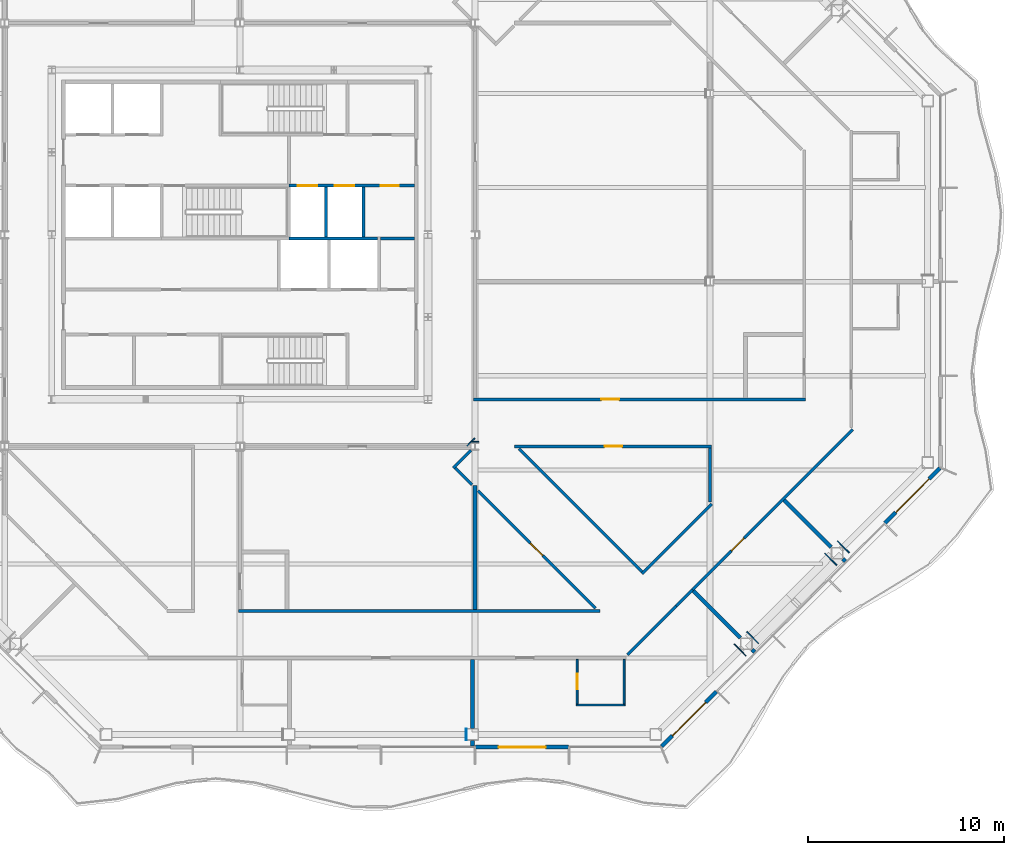
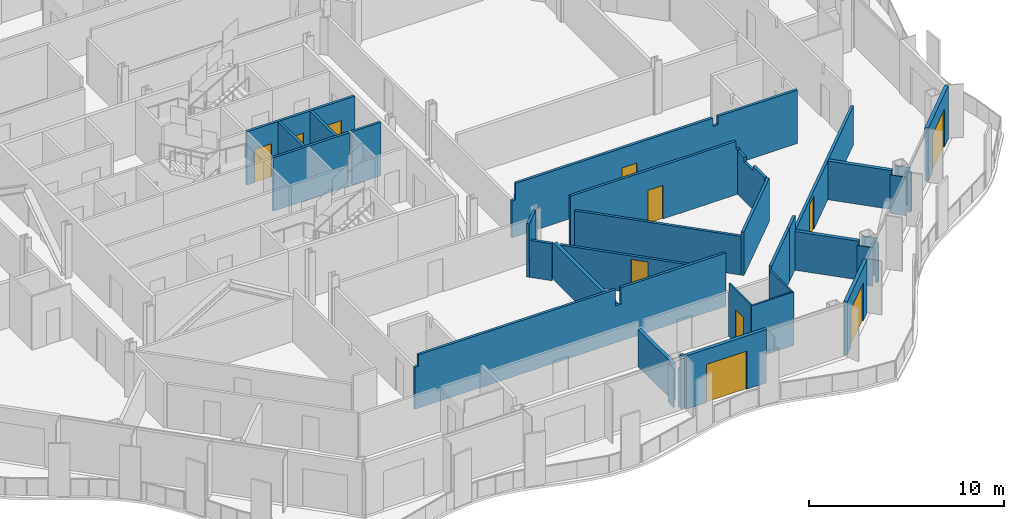
# One storey, part 9 of 19: 37 walls, 11 doors, 11 openings.
"""IFC4 building model written with IfcOpenShell, lengths in metres."""

from ifc_helpers import new_model, si_unit, direction, frame, frame_2d, origin, place, context, subcontext, project, spatial, polyline, rectangle, outline, extrude, material, layer, layer_set, type_object, element, fill, save


model = new_model("IFC4")

# Units and contexts
model_context = context("Model", 3, precision=1e-05, world=origin(), true_north=direction((0.0, 1.0)))
body_context = subcontext(model_context, "Body", "Model", "MODEL_VIEW")
ifc_project = project(units=[si_unit("LENGTHUNIT", "METRE"), si_unit("AREAUNIT", "SQUARE_METRE"), si_unit("VOLUMEUNIT", "CUBIC_METRE"), si_unit("PLANEANGLEUNIT", "RADIAN"), si_unit("MASSUNIT", "GRAM", prefix="KILO")], contexts=[model_context])

# Site, building, storey
site_placement = place(None, origin())
site = spatial("IfcSite", under=ifc_project, at=site_placement, CompositionType="ELEMENT")
building_placement = place(site_placement, origin())
building = spatial("IfcBuilding", under=site, at=building_placement, Name="Cairn Pilgrim Tower", CompositionType="ELEMENT")
storey_placement = place(building_placement, frame((0.0, 0.0, 201.0)))
storey = spatial("IfcBuildingStorey", under=building, at=storey_placement, Name="L51", CompositionType="ELEMENT", Elevation=201.0)

# Wall, opening, door
ifc_material_1 = material(Name="Bronze anodised aluminium insulated sandwich panel with mineral wool fill", Category="aluminium")
ifc_layer_1 = layer(ifc_material_1, 0.199951171875)
ifc_layer_set_1 = layer_set([ifc_layer_1], Name="BRONZE INFILL FRAME WALL 200")
wall_type_1 = type_object("IfcWallType", Name="BRONZE INFILL FRAME WALL 200", PredefinedType="NOTDEFINED", material=ifc_layer_set_1)
wall_1_placement = place(storey_placement, frame((19.22998046875, -23.75, 0.0), z_axis=(0.0, 0.0, 1.0), x_axis=(1.0, 0.0, 0.0)))
wall_1 = element("IfcWall", 1, at=wall_1_placement, inside=storey, type_object=wall_type_1, Name="Bronze infill frame wall IW-S5", PredefinedType="NOTDEFINED", context=body_context, shape_type="SweptSolid", body=[
    extrude(rectangle(XDim=4.739990234375, YDim=0.199951171875, at=frame_2d((2.3701171875, 0.0))), origin(), (0.0, 0.0, 1.0), 3.35009765625),
])
opening_1_placement = place(wall_1_placement, frame((1.169677734375, 0.0, 0.0)))
opening_1 = element("IfcOpeningElement", 2, at=opening_1_placement, cuts=wall_1, Name="Opening 5102B", PredefinedType="OPENING", context=body_context, shape_type="SweptSolid", body=[
    extrude(rectangle(XDim=2.39990234375, YDim=2.39990234375, at=frame_2d((1.199951171875, 1.199951171875))), frame((0.0, 0.10986328125, 0.0), z_axis=(0.0, -1.0, 0.0), x_axis=(1.0, 0.0, 0.0)), (0.0, 0.0, 1.0), 0.219970703125),
])
ifc_material_2 = material(Name="Bronze anodised aluminium frame with tinted low-E glass", Category="aluminium")
door_type_1 = type_object("IfcDoorType", Name="BALCONY SLIDING DOOR 2400x2400", OperationType="DOUBLE_DOOR_SLIDING", PredefinedType="DOOR", material=ifc_material_2)
door_1_placement = place(opening_1_placement, origin())
door_1 = element("IfcDoor", 3, at=door_1_placement, inside=storey, type_object=door_type_1, Name="Balcony sliding door 5102B", OperationType="SINGLE_SWING_LEFT", OverallHeight=2.39990234375, OverallWidth=2.39990234375, PredefinedType="DOOR", context=body_context, shape_type="SweptSolid", body=[
    extrude(rectangle(XDim=2.39990234375, YDim=2.39990234375, at=frame_2d((1.199951171875, 1.199951171875))), frame((0.0, 0.02490234375, 0.0), z_axis=(0.0, -1.0, 0.0), x_axis=(1.0, 0.0, 0.0)), (0.0, 0.0, 1.0), 0.050048828125),
])
fill(opening_1, door_1)

wall_2_placement = place(storey_placement, frame((28.724609375, -23.7216796875, 0.0), z_axis=(0.0, 0.0, 1.0), x_axis=(0.707106781187, 0.707106781187, 0.0)))
wall_2 = element("IfcWall", 4, at=wall_2_placement, inside=storey, type_object=wall_type_1, Name="Bronze infill frame wall IW-SE1", PredefinedType="NOTDEFINED", context=body_context, shape_type="SweptSolid", body=[
    extrude(rectangle(XDim=3.961669921875, YDim=0.199951171875, at=frame_2d((1.98095703125, 0.0))), origin(), (0.0, 0.0, 1.0), 3.35009765625),
])
opening_2_placement = place(wall_2_placement, frame((0.775390625, 0.0, 0.0)))
opening_2 = element("IfcOpeningElement", 5, at=opening_2_placement, cuts=wall_2, Name="Opening 5102B2", PredefinedType="OPENING", context=body_context, shape_type="SweptSolid", body=[
    extrude(rectangle(XDim=2.39990234375, YDim=2.39990234375, at=frame_2d((1.199951171875, 1.199951171875))), frame((0.0, 0.10986328125, 0.0), z_axis=(0.0, -1.0, 0.0), x_axis=(1.0, 0.0, 0.0)), (0.0, 0.0, 1.0), 0.219970703125),
])
door_2_placement = place(opening_2_placement, origin())
door_2 = element("IfcDoor", 6, at=door_2_placement, inside=storey, type_object=door_type_1, Name="Balcony sliding door 5102B2", OperationType="SINGLE_SWING_LEFT", OverallHeight=2.39990234375, OverallWidth=2.39990234375, PredefinedType="DOOR", context=body_context, shape_type="SweptSolid", body=[
    extrude(rectangle(XDim=2.39990234375, YDim=2.39990234375, at=frame_2d((1.199951171875, 1.199951171875))), frame((0.0, 0.02490234375, 0.0), z_axis=(0.0, -1.0, 0.0), x_axis=(1.0, 0.0, 0.0)), (0.0, 0.0, 1.0), 0.050048828125),
])
fill(opening_2, door_2)

wall_3_placement = place(storey_placement, frame((40.12060546875, -12.325927734375, 0.0), z_axis=(0.0, 0.0, 1.0), x_axis=(0.707075965734, 0.707137595296, 0.0)))
wall_3 = element("IfcWall", 7, at=wall_3_placement, inside=storey, type_object=wall_type_1, Name="Bronze infill frame wall IW-SE5", PredefinedType="NOTDEFINED", context=body_context, shape_type="SweptSolid", body=[
    extrude(rectangle(XDim=3.96142578125, YDim=0.199951171875, at=frame_2d((1.980712890625, 0.0))), origin(), (0.0, 0.0, 1.0), 3.35009765625),
])
opening_3_placement = place(wall_3_placement, frame((0.78564453125, 0.0, 0.0)))
opening_3 = element("IfcOpeningElement", 8, at=opening_3_placement, cuts=wall_3, Name="Opening 5104B", PredefinedType="OPENING", context=body_context, shape_type="SweptSolid", body=[
    extrude(rectangle(XDim=2.39990234375, YDim=2.39990234375, at=frame_2d((1.199951171875, 1.199951171875))), frame((0.0, 0.10986328125, 0.0), z_axis=(0.0, -1.0, 0.0), x_axis=(1.0, 0.0, 0.0)), (0.0, 0.0, 1.0), 0.219970703125),
])
door_3_placement = place(opening_3_placement, origin())
door_3 = element("IfcDoor", 9, at=door_3_placement, inside=storey, type_object=door_type_1, Name="Balcony sliding door 5104B", OperationType="SINGLE_SWING_LEFT", OverallHeight=2.39990234375, OverallWidth=2.39990234375, PredefinedType="DOOR", context=body_context, shape_type="SweptSolid", body=[
    extrude(rectangle(XDim=2.39990234375, YDim=2.39990234375, at=frame_2d((1.199951171875, 1.199951171875))), frame((0.0, 0.02490234375, 0.0), z_axis=(0.0, -1.0, 0.0), x_axis=(1.0, 0.0, 0.0)), (0.0, 0.0, 1.0), 0.050048828125),
])
fill(opening_3, door_3)

# Walls
ifc_material_3 = material(Name="Concrete C32/40", Category="concrete")
ifc_layer_2 = layer(ifc_material_3, 0.14990234375)
ifc_layer_set_2 = layer_set([ifc_layer_2], Name="CORE PARTITION 150 EI 60")
wall_type_2 = type_object("IfcWallType", Name="CORE PARTITION 150 EI 60", PredefinedType="PARTITIONING", material=ifc_layer_set_2)
wall_4_placement = place(storey_placement, frame((14.375, 2.199951171875, 0.0), z_axis=(0.0, 0.0, 1.0), x_axis=(1.0, 0.0, 0.0)))
element("IfcWall", 10, at=wall_4_placement, inside=storey, type_object=wall_type_2, Name="CW:L51:H08", PredefinedType="PARTITIONING", context=body_context, shape_type="SweptSolid", body=[
    extrude(rectangle(XDim=1.72509765625, YDim=0.14990234375, at=frame_2d((0.862548828125, 0.0))), origin(), (0.0, 0.0, 1.0), 3.35009765625),
])
ifc_layer_3 = layer(ifc_material_3, 0.14990234375)
ifc_layer_set_3 = layer_set([ifc_layer_3], Name="CORE SHAFT WALL 150 EI 120")
wall_type_3 = type_object("IfcWallType", Name="CORE SHAFT WALL 150 EI 120", PredefinedType="SOLIDWALL", material=ifc_layer_set_3)
wall_5_placement = place(storey_placement, frame((9.699951171875, 2.199951171875, 0.0), z_axis=(0.0, 0.0, 1.0), x_axis=(1.0, 0.0, 0.0)))
element("IfcWall", 11, at=wall_5_placement, inside=storey, type_object=wall_type_3, Name="CW:L51:H07-3", PredefinedType="SOLIDWALL", context=body_context, shape_type="SweptSolid", body=[
    extrude(rectangle(XDim=4.525146484375, YDim=0.14990234375, at=frame_2d((2.2626953125, 0.0))), origin(), (0.0, 0.0, 1.0), 3.35009765625),
])

# Wall, openings, doors
wall_6_placement = place(storey_placement, frame((9.699951171875, 4.89990234375, 0.0), z_axis=(0.0, 0.0, 1.0), x_axis=(1.0, 0.0, 0.0)))
wall_6 = element("IfcWall", 12, at=wall_6_placement, inside=storey, type_object=wall_type_3, Name="CW:L51:H09-3", PredefinedType="SOLIDWALL", context=body_context, shape_type="SweptSolid", body=[
    extrude(rectangle(XDim=6.400146484375, YDim=0.14990234375, at=frame_2d((3.2001953125, 0.0))), origin(), (0.0, 0.0, 1.0), 3.35009765625),
])
opening_4_placement = place(wall_6_placement, frame((0.449951171875, 0.0, 0.0)))
opening_4 = element("IfcOpeningElement", 13, at=opening_4_placement, cuts=wall_6, Name="Opening LD-FF1", PredefinedType="OPENING", context=body_context, shape_type="SweptSolid", body=[
    extrude(rectangle(XDim=1.0, YDim=2.10009765625, at=frame_2d((0.5, 1.050048828125))), frame((0.0, 0.0849609375, 0.0), z_axis=(0.0, -1.0, 0.0), x_axis=(1.0, 0.0, 0.0)), (0.0, 0.0, 1.0), 0.169921875),
])
opening_5_placement = place(wall_6_placement, frame((2.35009765625, 0.0, 0.0)))
opening_5 = element("IfcOpeningElement", 14, at=opening_5_placement, cuts=wall_6, Name="Opening LD-FF2", PredefinedType="OPENING", context=body_context, shape_type="SweptSolid", body=[
    extrude(rectangle(XDim=1.0, YDim=2.10009765625, at=frame_2d((0.5, 1.050048828125))), frame((0.0, 0.0849609375, 0.0), z_axis=(0.0, -1.0, 0.0), x_axis=(1.0, 0.0, 0.0)), (0.0, 0.0, 1.0), 0.169921875),
])
opening_6_placement = place(wall_6_placement, frame((4.699951171875, 0.0, 0.0)))
opening_6 = element("IfcOpeningElement", 15, at=opening_6_placement, cuts=wall_6, Name="Opening RD-R3E", PredefinedType="OPENING", context=body_context, shape_type="SweptSolid", body=[
    extrude(rectangle(XDim=0.89990234375, YDim=2.10009765625, at=frame_2d((0.449951171875, 1.050048828125))), frame((0.0, 0.0849609375, 0.0), z_axis=(0.0, -1.0, 0.0), x_axis=(1.0, 0.0, 0.0)), (0.0, 0.0, 1.0), 0.169921875),
])
ifc_material_4 = material(Name="Stainless steel", Category="steel")
door_type_2 = type_object("IfcDoorType", Name="LIFT LANDING DOOR FIRE 1000x2100", OperationType="DOUBLE_DOOR_SLIDING", PredefinedType="DOOR", material=ifc_material_4)
door_4_placement = place(opening_4_placement, origin())
door_4 = element("IfcDoor", 16, at=door_4_placement, inside=storey, type_object=door_type_2, Name="LANDING DOOR FF1", OperationType="DOUBLE_DOOR_SLIDING", OverallHeight=2.10009765625, OverallWidth=1.0, PredefinedType="DOOR", context=body_context, shape_type="SweptSolid", body=[
    extrude(rectangle(XDim=1.0, YDim=2.10009765625, at=frame_2d((0.5, 1.050048828125))), frame((0.0, 0.02490234375, 0.0), z_axis=(0.0, -1.0, 0.0), x_axis=(1.0, 0.0, 0.0)), (0.0, 0.0, 1.0), 0.050048828125),
])
fill(opening_4, door_4)
door_5_placement = place(opening_5_placement, origin())
door_5 = element("IfcDoor", 17, at=door_5_placement, inside=storey, type_object=door_type_2, Name="LANDING DOOR FF2", OperationType="DOUBLE_DOOR_SLIDING", OverallHeight=2.10009765625, OverallWidth=1.0, PredefinedType="DOOR", context=body_context, shape_type="SweptSolid", body=[
    extrude(rectangle(XDim=1.0, YDim=2.10009765625, at=frame_2d((0.5, 1.050048828125))), frame((0.0, 0.02490234375, 0.0), z_axis=(0.0, -1.0, 0.0), x_axis=(1.0, 0.0, 0.0)), (0.0, 0.0, 1.0), 0.050048828125),
])
fill(opening_5, door_5)
ifc_material_5 = material(Name="Painted steel", Category="steel")
door_type_3 = type_object("IfcDoorType", Name="SERVICE ROOM DOOR 900x2100", OperationType="SINGLE_SWING_LEFT", PredefinedType="DOOR", material=ifc_material_5)
door_6_placement = place(opening_6_placement, origin())
door_6 = element("IfcDoor", 18, at=door_6_placement, inside=storey, type_object=door_type_3, Name="RD-R3E", OperationType="SINGLE_SWING_RIGHT", OverallHeight=2.10009765625, OverallWidth=0.89990234375, PredefinedType="DOOR", context=body_context, shape_type="SweptSolid", body=[
    extrude(rectangle(XDim=0.89990234375, YDim=2.10009765625, at=frame_2d((0.449951171875, 1.050048828125))), frame((0.0, 0.02490234375, 0.0), z_axis=(0.0, -1.0, 0.0), x_axis=(1.0, 0.0, 0.0)), (0.0, 0.0, 1.0), 0.050048828125),
])
fill(opening_6, door_6)

# Walls
for number, where, z_axis, x_axis, name in (
    (19, (11.60009765625, 2.27490234375, 0.0), (0.0, 0.0, 1.0), (0.0, 1.0, 0.0), "CW:L51:V24"),
    (20, (13.5, 2.27490234375, 0.0), (0.0, 0.0, 1.0), (0.0, 1.0, 0.0), "CW:L51:V28"),
):
    element("IfcWall", number, at=place(storey_placement, frame(where, z_axis=z_axis, x_axis=x_axis)), inside=storey, type_object=wall_type_3, Name=name, PredefinedType="SOLIDWALL", context=body_context, shape_type="SweptSolid", body=[
        extrude(rectangle(XDim=2.550048828125, YDim=0.14990234375, at=frame_2d((1.27490234375, 0.0))), origin(), (0.0, 0.0, 1.0), 3.35009765625),
    ])
ifc_material_6 = material(Name="Gypsum partition")
ifc_layer_4 = layer(ifc_material_6, 0.10009765625)
ifc_layer_set_4 = layer_set([ifc_layer_4], Name="PARTITION 100 DRYWALL")
wall_type_4 = type_object("IfcWallType", Name="PARTITION 100 DRYWALL", PredefinedType="PARTITIONING", material=ifc_layer_set_4)
wall_7_placement = place(storey_placement, frame((24.362060546875, -21.60009765625, 0.0), z_axis=(0.0, 0.0, 1.0), x_axis=(1.0, 0.0, 0.0)))
element("IfcWall", 21, at=wall_7_placement, inside=storey, type_object=wall_type_4, Name="PARTITION W007", PredefinedType="PARTITIONING", context=body_context, shape_type="SweptSolid", body=[
    extrude(rectangle(XDim=2.5, YDim=0.10009765625, at=frame_2d((1.25, 0.0))), origin(), (0.0, 0.0, 1.0), 3.35009765625),
])

# Wall, opening, door
wall_8_placement = place(storey_placement, frame((24.412109375, -21.550048828125, 0.0), z_axis=(0.0, 0.0, 1.0), x_axis=(0.0, 1.0, 0.0)))
wall_8 = element("IfcWall", 22, at=wall_8_placement, inside=storey, type_object=wall_type_4, Name="PARTITION W008", PredefinedType="PARTITIONING", context=body_context, shape_type="SweptSolid", body=[
    extrude(outline(polyline([(0.0, 0.0), (2.275146484375, 0.0), (2.27490234375, 2.780029296875), (2.2451171875, 2.780029296875), (2.242919921875, 3.35009765625), (0.0, 3.35009765625), (0.0, 0.0)])), frame((0.0, 0.050048828125, 0.0), z_axis=(0.0, -1.0, 0.0), x_axis=(1.0, 0.0, 0.0)), (0.0, 0.0, 1.0), 0.10009765625),
])
opening_7_placement = place(wall_8_placement, frame((0.75, 0.0, 0.0)))
opening_7 = element("IfcOpeningElement", 23, at=opening_7_placement, cuts=wall_8, Name="Opening 5102A", PredefinedType="OPENING", context=body_context, shape_type="SweptSolid", body=[
    extrude(rectangle(XDim=0.800048828125, YDim=2.10009765625, at=frame_2d((0.39990234375, 1.050048828125))), frame((0.0, 0.06005859375, 0.0), z_axis=(0.0, -1.0, 0.0), x_axis=(1.0, 0.0, 0.0)), (0.0, 0.0, 1.0), 0.1201171875),
])
ifc_material_7 = material(Name="Timber door leaf", Category="wood")
door_type_4 = type_object("IfcDoorType", Name="WC DOOR 800x2100", OperationType="NOTDEFINED", PredefinedType="DOOR", material=ifc_material_7)
door_7_placement = place(opening_7_placement, origin())
door_7 = element("IfcDoor", 24, at=door_7_placement, inside=storey, type_object=door_type_4, Name="DOOR 5102A", OperationType="SINGLE_SWING_LEFT", OverallHeight=2.10009765625, OverallWidth=0.800048828125, PredefinedType="DOOR", context=body_context, shape_type="SweptSolid", body=[
    extrude(rectangle(XDim=0.800048828125, YDim=2.10009765625, at=frame_2d((0.39990234375, 1.050048828125))), frame((0.0, 0.02490234375, 0.0), z_axis=(0.0, -1.0, 0.0), x_axis=(1.0, 0.0, 0.0)), (0.0, 0.0, 1.0), 0.050048828125),
])
fill(opening_7, door_7)

# Walls
wall_9_placement = place(storey_placement, frame((26.81201171875, -21.550048828125, 0.0), z_axis=(0.0, 0.0, 1.0), x_axis=(0.0, 1.0, 0.0)))
element("IfcWall", 25, at=wall_9_placement, inside=storey, type_object=wall_type_4, Name="PARTITION W009", PredefinedType="PARTITIONING", context=body_context, shape_type="SweptSolid", body=[
    extrude(outline(polyline([(0.0, 0.0), (2.275146484375, 0.0), (2.27490234375, 2.780029296875), (2.2451171875, 2.780029296875), (2.242919921875, 3.35009765625), (0.0, 3.35009765625), (0.0, 0.0)])), frame((0.0, 0.050048828125, 0.0), z_axis=(0.0, -1.0, 0.0), x_axis=(1.0, 0.0, 0.0)), (0.0, 0.0, 1.0), 0.10009765625),
])
ifc_layer_5 = layer(ifc_material_6, 0.14990234375)
ifc_layer_set_5 = layer_set([ifc_layer_5], Name="PARTITION 150 DRYWALL EI 60")
wall_type_5 = type_object("IfcWallType", Name="PARTITION 150 DRYWALL EI 60", PredefinedType="PARTITIONING", material=ifc_layer_set_5)
wall_10_placement = place(storey_placement, frame((26.973876953125, -19.037109375, 0.0), z_axis=(0.0, 0.0, 1.0), x_axis=(0.707106781187, 0.707106781187, 0.0)))
element("IfcWall", 26, at=wall_10_placement, inside=storey, type_object=wall_type_5, Name="PARTITION W012", PredefinedType="PARTITIONING", context=body_context, shape_type="SweptSolid", body=[
    extrude(rectangle(XDim=3.5244140625, YDim=0.14990234375, at=frame_2d((1.76220703125, 0.0))), origin(), (0.0, 0.0, 1.0), 3.35009765625),
])
wall_11_placement = place(storey_placement, frame((7.125, -16.800048828125, 0.0), z_axis=(0.0, 0.0, 1.0), x_axis=(1.0, 0.0, 0.0)))
element("IfcWall", 27, at=wall_11_placement, inside=storey, type_object=wall_type_5, Name="PARTITION W018", PredefinedType="PARTITIONING", context=body_context, shape_type="SweptSolid", body=[
    extrude(outline(polyline([(0.0, 0.0), (18.460205078125, 0.0), (18.460205078125, 3.35009765625), (12.22607421875, 3.35009765625), (12.22412109375, 2.322021484375), (11.924072265625, 2.322021484375), (11.922119140625, 3.35009765625), (0.22509765625, 3.35009765625), (0.222900390625, 2.6298828125), (0.0, 2.6298828125), (0.0, 0.0)])), frame((0.0, 0.074951171875, 0.0), z_axis=(0.0, -1.0, 0.0), x_axis=(1.0, 0.0, 0.0)), (0.0, 0.0, 1.0), 0.14990234375),
])

# Wall, opening, door
wall_12_placement = place(storey_placement, frame((25.35107421875, -16.672119140625, 0.0), z_axis=(0.0, 0.0, 1.0), x_axis=(-0.707106781187, 0.707106781187, 0.0)))
wall_12 = element("IfcWall", 28, at=wall_12_placement, inside=storey, type_object=wall_type_5, Name="PARTITION W024", PredefinedType="PARTITIONING", context=body_context, shape_type="SweptSolid", body=[
    extrude(rectangle(XDim=8.482421875, YDim=0.14990234375, at=frame_2d((4.2412109375, 0.0))), origin(), (0.0, 0.0, 1.0), 2.322021484375),
])
opening_8_placement = place(wall_12_placement, frame((3.808837890625, 0.0, 0.0)))
opening_8 = element("IfcOpeningElement", 29, at=opening_8_placement, cuts=wall_12, Name="Opening 5116", PredefinedType="OPENING", context=body_context, shape_type="SweptSolid", body=[
    extrude(rectangle(XDim=0.89990234375, YDim=2.10009765625, at=frame_2d((0.449951171875, 1.050048828125))), frame((0.0, 0.0849609375, 0.0), z_axis=(0.0, -1.0, 0.0), x_axis=(1.0, 0.0, 0.0)), (0.0, 0.0, 1.0), 0.169921875),
])
door_type_5 = type_object("IfcDoorType", Name="SERVICE DOOR 900x2100 FD30S", OperationType="NOTDEFINED", PredefinedType="DOOR", material=ifc_material_7)
door_8_placement = place(opening_8_placement, origin())
door_8 = element("IfcDoor", 30, at=door_8_placement, inside=storey, type_object=door_type_5, Name="DOOR 5116", OperationType="SINGLE_SWING_RIGHT", OverallHeight=2.10009765625, OverallWidth=0.89990234375, PredefinedType="DOOR", context=body_context, shape_type="SweptSolid", body=[
    extrude(rectangle(XDim=0.89990234375, YDim=2.10009765625, at=frame_2d((0.449951171875, 1.050048828125))), frame((0.0, 0.02490234375, 0.0), z_axis=(0.0, -1.0, 0.0), x_axis=(1.0, 0.0, 0.0)), (0.0, 0.0, 1.0), 0.050048828125),
])
fill(opening_8, door_8)

# Wall
wall_13_placement = place(storey_placement, frame((29.466064453125, -16.544921875, 0.0), z_axis=(0.0, 0.0, 1.0), x_axis=(0.70752395322, 0.706689362889, 0.0)))
element("IfcWall", 31, at=wall_13_placement, inside=storey, type_object=wall_type_5, Name="PARTITION W025", PredefinedType="PARTITIONING", context=body_context, shape_type="SweptSolid", body=[
    extrude(rectangle(XDim=1.170166015625, YDim=0.14990234375, at=frame_2d((0.5849609375, 0.0))), origin(), (0.0, 0.0, 1.0), 3.35009765625),
])

# Wall, opening, door
wall_14_placement = place(storey_placement, frame((30.2939453125, -15.718017578125, 0.0), z_axis=(0.0, 0.0, 1.0), x_axis=(0.707117331948, 0.707096230267, 0.0)))
wall_14 = element("IfcWall", 32, at=wall_14_placement, inside=storey, type_object=wall_type_5, Name="PARTITION W026", PredefinedType="PARTITIONING", context=body_context, shape_type="SweptSolid", body=[
    extrude(rectangle(XDim=11.56982421875, YDim=0.14990234375, at=frame_2d((5.784912109375, 0.0))), origin(), (0.0, 0.0, 1.0), 2.429931640625),
])
opening_9_placement = place(wall_14_placement, frame((2.8193359375, 0.0, 0.0)))
opening_9 = element("IfcOpeningElement", 33, at=opening_9_placement, cuts=wall_14, Name="Opening 5103", PredefinedType="OPENING", context=body_context, shape_type="SweptSolid", body=[
    extrude(rectangle(XDim=0.89990234375, YDim=2.10009765625, at=frame_2d((0.449951171875, 1.050048828125))), frame((0.0, 0.0849609375, 0.0), z_axis=(0.0, -1.0, 0.0), x_axis=(1.0, 0.0, 0.0)), (0.0, 0.0, 1.0), 0.169921875),
])
door_9_placement = place(opening_9_placement, frame((0.89990234375, 0.0, 0.0), z_axis=(0.0, 0.0, 1.0), x_axis=(-1.0, 0.0, 0.0)))
door_9 = element("IfcDoor", 34, at=door_9_placement, inside=storey, type_object=door_type_5, Name="DOOR 5103", OperationType="SINGLE_SWING_LEFT", OverallHeight=2.10009765625, OverallWidth=0.89990234375, PredefinedType="DOOR", context=body_context, shape_type="SweptSolid", body=[
    extrude(rectangle(XDim=0.89990234375, YDim=2.10009765625, at=frame_2d((0.449951171875, 1.050048828125))), frame((0.0, 0.02490234375, 0.0), z_axis=(0.0, -1.0, 0.0), x_axis=(1.0, 0.0, 0.0)), (0.0, 0.0, 1.0), 0.050048828125),
])
fill(opening_9, door_9)

# Walls
wall_15_placement = place(storey_placement, frame((27.717041015625, -14.90087890625, 0.0), z_axis=(0.0, 0.0, 1.0), x_axis=(0.707106781187, 0.707106781187, 0.0)))
element("IfcWall", 35, at=wall_15_placement, inside=storey, type_object=wall_type_5, Name="PARTITION W027", PredefinedType="PARTITIONING", context=body_context, shape_type="SweptSolid", body=[
    extrude(rectangle(XDim=5.031494140625, YDim=0.14990234375, at=frame_2d((2.515625, 0.0))), origin(), (0.0, 0.0, 1.0), 2.72998046875),
])
wall_16_placement = place(storey_placement, frame((27.717041015625, -14.794921875, 0.0), z_axis=(0.0, 0.0, 1.0), x_axis=(-0.707175638903, 0.707037916764, 0.0)))
element("IfcWall", 36, at=wall_16_placement, inside=storey, type_object=wall_type_5, Name="PARTITION W028", PredefinedType="PARTITIONING", context=body_context, shape_type="SweptSolid", body=[
    extrude(rectangle(XDim=8.863525390625, YDim=0.14990234375, at=frame_2d((4.431640625, 0.0))), origin(), (0.0, 0.0, 1.0), 2.429931640625),
])
wall_17_placement = place(storey_placement, frame((31.199951171875, -11.23681640625, 0.0), z_axis=(0.0, 0.0, 1.0), x_axis=(0.0, 1.0, 0.0)))
element("IfcWall", 37, at=wall_17_placement, inside=storey, type_object=wall_type_5, Name="PARTITION W035", PredefinedType="PARTITIONING", context=body_context, shape_type="SweptSolid", body=[
    extrude(outline(polyline([(0.0, 0.0), (2.76171875, 0.0), (2.761962890625, 2.72998046875), (2.089599609375, 2.72998046875), (2.087646484375, 2.429931640625), (1.18701171875, 2.429931640625), (1.184814453125, 2.72998046875), (0.0, 2.72998046875), (0.0, 0.0)])), frame((0.0, 0.074951171875, 0.0), z_axis=(0.0, -1.0, 0.0), x_axis=(1.0, 0.0, 0.0)), (0.0, 0.0, 1.0), 0.14990234375),
])
wall_18_placement = place(storey_placement, frame((19.047119140625, -10.3681640625, 0.0), z_axis=(0.0, 0.0, 1.0), x_axis=(-0.707409718716, 0.706803713817, 0.0)))
element("IfcWall", 38, at=wall_18_placement, inside=storey, type_object=wall_type_5, Name="PARTITION W036", PredefinedType="PARTITIONING", context=body_context, shape_type="SweptSolid", body=[
    extrude(rectangle(XDim=1.20849609375, YDim=0.14990234375, at=frame_2d((0.604248046875, 0.0))), origin(), (0.0, 0.0, 1.0), 2.322021484375),
])
wall_19_placement = place(storey_placement, frame((18.0859375, -9.513916015625, 0.0), z_axis=(0.0, 0.0, 1.0), x_axis=(0.707106781187, 0.707106781187, 0.0)))
element("IfcWall", 39, at=wall_19_placement, inside=storey, type_object=wall_type_5, Name="PARTITION W037", PredefinedType="PARTITIONING", context=body_context, shape_type="SweptSolid", body=[
    extrude(rectangle(XDim=1.29541015625, YDim=0.14990234375, at=frame_2d((0.647705078125, 0.0))), origin(), (0.0, 0.0, 1.0), 3.35009765625),
])

# Wall, opening, door
wall_20_placement = place(storey_placement, frame((21.21484375, -8.39990234375, 0.0), z_axis=(0.0, 0.0, 1.0), x_axis=(1.0, 0.0, 0.0)))
wall_20 = element("IfcWall", 40, at=wall_20_placement, inside=storey, type_object=wall_type_5, Name="PARTITION W040", PredefinedType="PARTITIONING", context=body_context, shape_type="SweptSolid", body=[
    extrude(outline(polyline([(0.0, 0.0), (10.06005859375, 0.0), (10.06005859375, 2.830078125), (9.835205078125, 2.830078125), (9.8330078125, 3.35009765625), (0.0, 3.35009765625), (0.0, 0.0)])), frame((0.0, 0.074951171875, 0.0), z_axis=(0.0, -1.0, 0.0), x_axis=(1.0, 0.0, 0.0)), (0.0, 0.0, 1.0), 0.14990234375),
])
opening_10_placement = place(wall_20_placement, frame((4.59619140625, 0.0, 0.0)))
opening_10 = element("IfcOpeningElement", 41, at=opening_10_placement, cuts=wall_20, Name="Opening 5117", PredefinedType="OPENING", context=body_context, shape_type="SweptSolid", body=[
    extrude(rectangle(XDim=0.89990234375, YDim=2.10009765625, at=frame_2d((0.449951171875, 1.050048828125))), frame((0.0, 0.0849609375, 0.0), z_axis=(0.0, -1.0, 0.0), x_axis=(1.0, 0.0, 0.0)), (0.0, 0.0, 1.0), 0.169921875),
])
door_10_placement = place(opening_10_placement, frame((0.89990234375, 0.0, 0.0), z_axis=(0.0, 0.0, 1.0), x_axis=(-1.0, 0.0, 0.0)))
door_10 = element("IfcDoor", 42, at=door_10_placement, inside=storey, type_object=door_type_5, Name="DOOR 5117", OperationType="SINGLE_SWING_RIGHT", OverallHeight=2.10009765625, OverallWidth=0.89990234375, PredefinedType="DOOR", context=body_context, shape_type="SweptSolid", body=[
    extrude(rectangle(XDim=0.89990234375, YDim=2.10009765625, at=frame_2d((0.449951171875, 1.050048828125))), frame((0.0, 0.02490234375, 0.0), z_axis=(0.0, -1.0, 0.0), x_axis=(1.0, 0.0, 0.0)), (0.0, 0.0, 1.0), 0.050048828125),
])
fill(opening_10, door_10)

wall_21_placement = place(storey_placement, frame((19.125, -6.0, 0.0), z_axis=(0.0, 0.0, 1.0), x_axis=(1.0, 0.0, 0.0)))
wall_21 = element("IfcWall", 43, at=wall_21_placement, inside=storey, type_object=wall_type_5, Name="PARTITION W043", PredefinedType="PARTITIONING", context=body_context, shape_type="SweptSolid", body=[
    extrude(outline(polyline([(0.0, 0.0), (16.949951171875, 0.0), (16.949951171875, 3.35009765625), (12.22509765625, 3.35009765625), (12.222900390625, 2.830078125), (11.925048828125, 2.830078125), (11.923095703125, 3.35009765625), (0.22607421875, 3.35009765625), (0.22412109375, 2.322021484375), (0.0, 2.322021484375), (0.0, 0.0)])), frame((0.0, 0.074951171875, 0.0), z_axis=(0.0, -1.0, 0.0), x_axis=(1.0, 0.0, 0.0)), (0.0, 0.0, 1.0), 0.14990234375),
])
opening_11_placement = place(wall_21_placement, frame((6.52490234375, 0.0, 0.0)))
opening_11 = element("IfcOpeningElement", 44, at=opening_11_placement, cuts=wall_21, Name="Opening 5118", PredefinedType="OPENING", context=body_context, shape_type="SweptSolid", body=[
    extrude(rectangle(XDim=0.89990234375, YDim=2.10009765625, at=frame_2d((0.449951171875, 1.050048828125))), frame((0.0, 0.0849609375, 0.0), z_axis=(0.0, -1.0, 0.0), x_axis=(1.0, 0.0, 0.0)), (0.0, 0.0, 1.0), 0.169921875),
])
door_11_placement = place(opening_11_placement, origin())
door_11 = element("IfcDoor", 45, at=door_11_placement, inside=storey, type_object=door_type_5, Name="DOOR 5118", OperationType="SINGLE_SWING_RIGHT", OverallHeight=2.10009765625, OverallWidth=0.89990234375, PredefinedType="DOOR", context=body_context, shape_type="SweptSolid", body=[
    extrude(rectangle(XDim=0.89990234375, YDim=2.10009765625, at=frame_2d((0.449951171875, 1.050048828125))), frame((0.0, 0.02490234375, 0.0), z_axis=(0.0, -1.0, 0.0), x_axis=(1.0, 0.0, 0.0)), (0.0, 0.0, 1.0), 0.050048828125),
])
fill(opening_11, door_11)

# Walls
ifc_layer_6 = layer(ifc_material_6, 0.050048828125)
ifc_layer_set_6 = layer_set([ifc_layer_6], Name="PARTITION 50 DRYWALL EI 60")
wall_type_6 = type_object("IfcWallType", Name="PARTITION 50 DRYWALL EI 60", PredefinedType="PARTITIONING", material=ifc_layer_set_6)
wall_22_placement = place(storey_placement, frame((18.750732421875, -23.39990234375, 0.0), z_axis=(0.0, 0.0, 1.0), x_axis=(0.0, 1.0, 0.0)))
element("IfcWall", 46, at=wall_22_placement, inside=storey, type_object=wall_type_6, Name="COLUMN CASING WC01", PredefinedType="PARTITIONING", context=body_context, shape_type="SweptSolid", body=[
    extrude(rectangle(XDim=0.599853515625, YDim=0.050048828125, at=frame_2d((0.2998046875, 0.0))), origin(), (0.0, 0.0, 1.0), 2.429931640625),
])
wall_23_placement = place(storey_placement, frame((33.03369140625, -19.093505859375, 0.0), z_axis=(0.0, 0.0, 1.0), x_axis=(-0.706962899457, 0.707250633645, 0.0)))
element("IfcWall", 47, at=wall_23_placement, inside=storey, type_object=wall_type_6, Name="COLUMN CASING WC05", PredefinedType="PARTITIONING", context=body_context, shape_type="SweptSolid", body=[
    extrude(rectangle(XDim=0.848388671875, YDim=0.050048828125, at=frame_2d((0.42431640625, 0.0))), origin(), (0.0, 0.0, 1.0), 2.429931640625),
])
wall_24_placement = place(storey_placement, frame((33.669189453125, -18.4580078125, 0.0), z_axis=(0.0, 0.0, 1.0), x_axis=(-0.707106781187, 0.707106781187, 0.0)))
element("IfcWall", 48, at=wall_24_placement, inside=storey, type_object=wall_type_6, Name="COLUMN CASING WC06", PredefinedType="PARTITIONING", context=body_context, shape_type="SweptSolid", body=[
    extrude(rectangle(XDim=0.8486328125, YDim=0.050048828125, at=frame_2d((0.42431640625, 0.0))), origin(), (0.0, 0.0, 1.0), 2.429931640625),
])
for number, where, z_axis, x_axis, name in (
    (49, (37.657958984375, -14.46923828125, 0.0), (0.0, 0.0, 1.0), (-0.706962899457, 0.707250633645, 0.0), "COLUMN CASING WC11"),
    (50, (38.29345703125, -13.833740234375, 0.0), (0.0, 0.0, 1.0), (-0.707250633645, 0.706962899457, 0.0), "COLUMN CASING WC12"),
):
    element("IfcWall", number, at=place(storey_placement, frame(where, z_axis=z_axis, x_axis=x_axis)), inside=storey, type_object=wall_type_6, Name=name, PredefinedType="PARTITIONING", context=body_context, shape_type="SweptSolid", body=[
        extrude(rectangle(XDim=0.848388671875, YDim=0.050048828125, at=frame_2d((0.42431640625, 0.0))), origin(), (0.0, 0.0, 1.0), 2.429931640625),
    ])
wall_25_placement = place(storey_placement, frame((18.786376953125, -8.38232421875, 0.0), z_axis=(0.0, 0.0, 1.0), x_axis=(0.707106781187, 0.707106781187, 0.0)))
element("IfcWall", 51, at=wall_25_placement, inside=storey, type_object=wall_type_6, Name="COLUMN CASING WC16", PredefinedType="PARTITIONING", context=body_context, shape_type="SweptSolid", body=[
    extrude(rectangle(XDim=0.56005859375, YDim=0.050048828125, at=frame_2d((0.280029296875, 0.0))), origin(), (0.0, 0.0, 1.0), 2.322021484375),
])
wall_26_placement = place(storey_placement, frame((19.00048828125, -8.178466796875, 0.0), z_axis=(0.0, 0.0, 1.0), x_axis=(1.0, 0.0, 0.0)))
element("IfcWall", 52, at=wall_26_placement, inside=storey, type_object=wall_type_6, Name="COLUMN CASING WC19", PredefinedType="PARTITIONING", context=body_context, shape_type="SweptSolid", body=[
    extrude(rectangle(XDim=0.39892578125, YDim=0.050048828125, at=frame_2d((0.199462890625, 0.0))), origin(), (0.0, 0.0, 1.0), 2.322021484375),
])
ifc_layer_7 = layer(ifc_material_6, 0.199951171875)
ifc_layer_set_7 = layer_set([ifc_layer_7], Name="SHAFT WALL 200 GYPSUM EI 60")
wall_type_7 = type_object("IfcWallType", Name="SHAFT WALL 200 GYPSUM EI 60", PredefinedType="PARTITIONING", material=ifc_layer_set_7)
wall_27_placement = place(storey_placement, frame((19.075927734375, -23.702880859375, 0.0), z_axis=(0.0, 0.0, 1.0), x_axis=(0.0, 1.0, 0.0)))
element("IfcWall", 53, at=wall_27_placement, inside=storey, type_object=wall_type_7, Name="PARTITION W001", PredefinedType="PARTITIONING", context=body_context, shape_type="SweptSolid", body=[
    extrude(outline(polyline([(0.0, 0.0), (0.302978515625, 0.0), (0.302978515625, 2.429931640625), (0.153076171875, 2.429931640625), (0.15087890625, 3.35009765625), (0.0, 3.35009765625), (0.0, 0.0)])), frame((0.0, 0.10009765625, 0.0), z_axis=(0.0, -1.0, 0.0), x_axis=(1.0, 0.0, 0.0)), (0.0, 0.0, 1.0), 0.199951171875),
])
wall_28_placement = place(storey_placement, frame((19.075927734375, -22.800048828125, 0.0), z_axis=(0.0, 0.0, 1.0), x_axis=(0.0, 1.0, 0.0)))
element("IfcWall", 54, at=wall_28_placement, inside=storey, type_object=wall_type_7, Name="PARTITION W004", PredefinedType="PARTITIONING", context=body_context, shape_type="SweptSolid", body=[
    extrude(rectangle(XDim=3.525146484375, YDim=0.199951171875, at=frame_2d((1.7626953125, 0.0))), origin(), (0.0, 0.0, 1.0), 2.322021484375),
])
wall_29_placement = place(storey_placement, frame((33.46875, -18.892822265625, 0.0), z_axis=(0.0, 0.0, 1.0), x_axis=(-0.707106781187, 0.707106781187, 0.0)))
element("IfcWall", 55, at=wall_29_placement, inside=storey, type_object=wall_type_7, Name="PARTITION W014", PredefinedType="PARTITIONING", context=body_context, shape_type="SweptSolid", body=[
    extrude(rectangle(XDim=0.165771484375, YDim=0.199951171875, at=frame_2d((0.0830078125, 0.0))), origin(), (0.0, 0.0, 1.0), 2.429931640625),
])
wall_30_placement = place(storey_placement, frame((32.751708984375, -18.175537109375, 0.0), z_axis=(0.0, 0.0, 1.0), x_axis=(-0.707106781187, 0.707106781187, 0.0)))
element("IfcWall", 56, at=wall_30_placement, inside=storey, type_object=wall_type_7, Name="PARTITION W016", PredefinedType="PARTITIONING", context=body_context, shape_type="SweptSolid", body=[
    extrude(rectangle(XDim=3.400634765625, YDim=0.199951171875, at=frame_2d((1.7001953125, 0.0))), origin(), (0.0, 0.0, 1.0), 2.429931640625),
])
wall_31_placement = place(storey_placement, frame((19.199951171875, -16.72509765625, 0.0), z_axis=(0.0, 0.0, 1.0), x_axis=(0.0, 1.0, 0.0)))
element("IfcWall", 57, at=wall_31_placement, inside=storey, type_object=wall_type_7, Name="PARTITION W023", PredefinedType="PARTITIONING", context=body_context, shape_type="SweptSolid", body=[
    extrude(rectangle(XDim=6.320556640625, YDim=0.199951171875, at=frame_2d((3.16015625, 0.0))), origin(), (0.0, 0.0, 1.0), 2.322021484375),
])
wall_32_placement = place(storey_placement, frame((38.0927734375, -14.268798828125, 0.0), z_axis=(0.0, 0.0, 1.0), x_axis=(-0.707106781187, 0.707106781187, 0.0)))
element("IfcWall", 58, at=wall_32_placement, inside=storey, type_object=wall_type_7, Name="PARTITION W030", PredefinedType="PARTITIONING", context=body_context, shape_type="SweptSolid", body=[
    extrude(rectangle(XDim=0.165771484375, YDim=0.199951171875, at=frame_2d((0.0830078125, 0.0))), origin(), (0.0, 0.0, 1.0), 2.429931640625),
])
wall_33_placement = place(storey_placement, frame((37.37548828125, -13.551513671875, 0.0), z_axis=(0.0, 0.0, 1.0), x_axis=(-0.707106781187, 0.707106781187, 0.0)))
element("IfcWall", 59, at=wall_33_placement, inside=storey, type_object=wall_type_7, Name="PARTITION W033", PredefinedType="PARTITIONING", context=body_context, shape_type="SweptSolid", body=[
    extrude(rectangle(XDim=3.400146484375, YDim=0.199951171875, at=frame_2d((1.7001953125, 0.0))), origin(), (0.0, 0.0, 1.0), 2.429931640625),
])

save(model, "model.ifc")
